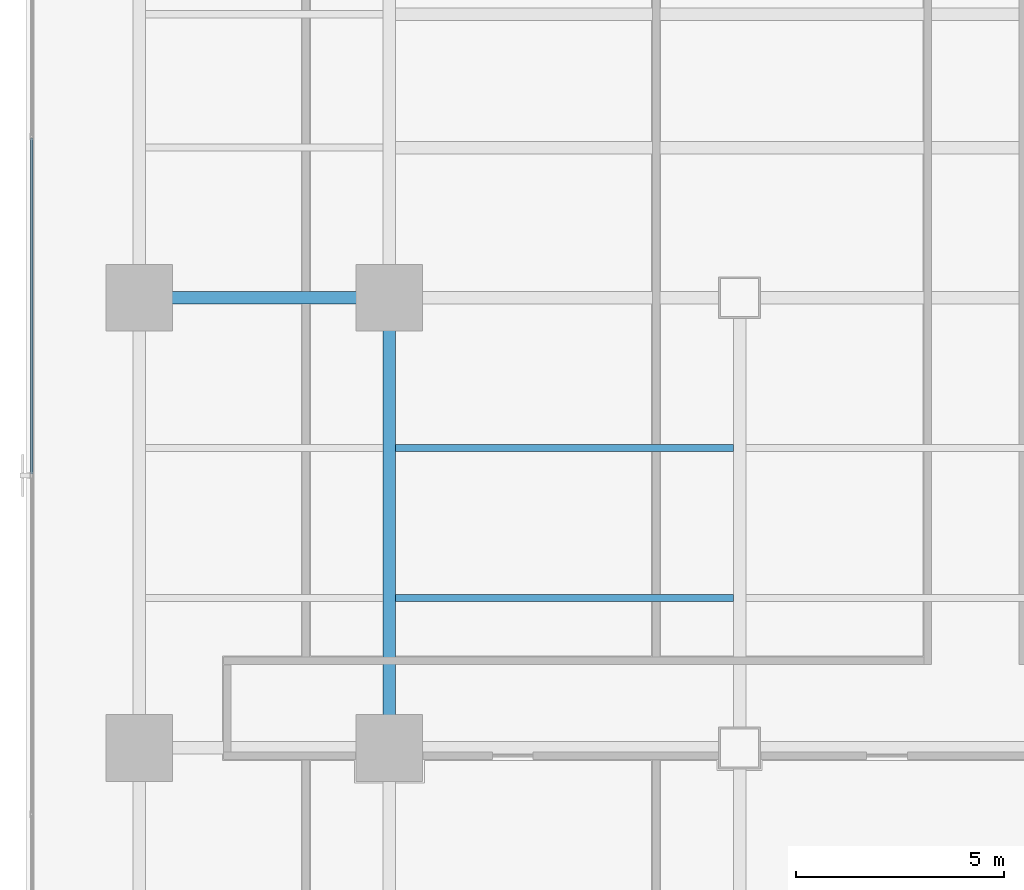
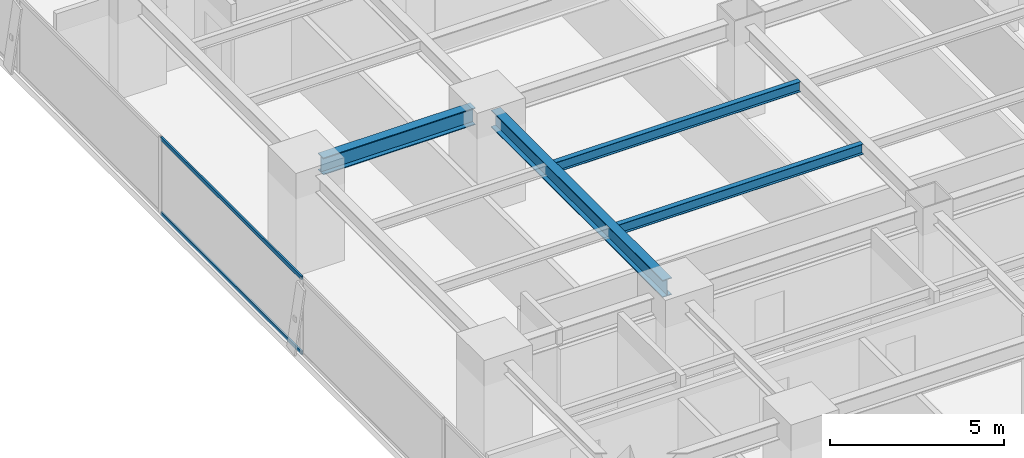
# One storey, part 9 of 36: 4 beams, 2 members, 1 element without a shape of its own.
"""IFC4 building model written with IfcOpenShell, lengths in metres."""

from ifc_helpers import new_model, si_unit, direction, frame, origin, origin_2d, place, context, subcontext, project, spatial, hollow_rectangle, i_section, extrude, source, transform, mapped, material, layer, layer_set, material_profile, profile_set, type_object, element, aggregate, save


model = new_model("IFC4")

# Units and contexts
model_context = context("Model", 3, precision=1e-05, world=origin(), true_north=direction((0.0, 1.0)))
body_context = subcontext(model_context, "Body", "Model", "MODEL_VIEW")
ifc_project = project(units=[si_unit("LENGTHUNIT", "METRE"), si_unit("AREAUNIT", "SQUARE_METRE"), si_unit("VOLUMEUNIT", "CUBIC_METRE"), si_unit("PLANEANGLEUNIT", "RADIAN"), si_unit("MASSUNIT", "GRAM", prefix="KILO")], contexts=[model_context])

# Site, building, storey
site_placement = place(None, origin())
site = spatial("IfcSite", under=ifc_project, at=site_placement, CompositionType="ELEMENT")
building_placement = place(site_placement, origin())
building = spatial("IfcBuilding", under=site, at=building_placement, Name="Sumidabori Civic Tower", CompositionType="ELEMENT")
storey_placement = place(building_placement, frame((0.0, 0.0, 120.800048828125)))
storey = spatial("IfcBuildingStorey", under=building, at=storey_placement, Name="L31", CompositionType="ELEMENT", Elevation=120.800048828125)

# Beams
ifc_material_1 = material(Name="Steel SN490", Category="steel")
ifc_material_profile_1 = material_profile(ifc_material_1, i_section(OverallWidth=0.300048828125, OverallDepth=0.60009765625, WebThickness=0.015380859375, FlangeThickness=0.030029296875, at=origin_2d()), Name="HE 600 B")
ifc_profile_set_1 = profile_set([ifc_material_profile_1], Name="Steel SN490")
beam_type_1 = type_object("IfcBeamType", Name="BM-GIRD-600", PredefinedType="BEAM", material=ifc_profile_set_1)
shared_shape_1 = source(origin(), body_context, "Body", "SweptSolid", [
    extrude(i_section(OverallWidth=0.300048828125, OverallDepth=0.60009765625, WebThickness=0.015380859375, FlangeThickness=0.030029296875, at=origin_2d()), origin(), (0.0, 0.0, 1.0), 5.0400390625),
])
beam_1_placement = place(storey_placement, frame((-22.320068359375, 0.0, 3.0), z_axis=(1.0, 0.0, 0.0), x_axis=(0.0, 1.0, 0.0)))
element("IfcBeam", 1, at=beam_1_placement, inside=storey, type_object=beam_type_1, Name="Primary Girder L31 GX-13", PredefinedType="BEAM", context=body_context, shape_type="MappedRepresentation", body=[
    mapped(shared_shape_1, transform((0.0, 0.0, 0.0), x_axis=(1.0, 0.0, 0.0), y_axis=(0.0, 1.0, 0.0), z_axis=(0.0, 0.0, 1.0), scale=1.0)),
])
shared_shape_2 = source(origin(), body_context, "Body", "SweptSolid", [
    extrude(i_section(OverallWidth=0.300048828125, OverallDepth=0.60009765625, WebThickness=0.015380859375, FlangeThickness=0.030029296875, at=origin_2d()), origin(), (0.0, 0.0, 1.0), 9.840087890625),
])
beam_2_placement = place(storey_placement, frame((-16.800048828125, -10.320068359375, 3.0), z_axis=(0.0, 1.0, 0.0), x_axis=(-1.0, 0.0, 0.0)))
element("IfcBeam", 2, at=beam_2_placement, inside=storey, type_object=beam_type_1, Name="Primary Girder L31 GY-26", PredefinedType="BEAM", context=body_context, shape_type="MappedRepresentation", body=[
    mapped(shared_shape_2, transform((0.0, 0.0, 0.0), x_axis=(1.0, 0.0, 0.0), y_axis=(0.0, 1.0, 0.0), z_axis=(0.0, 0.0, 1.0), scale=1.0)),
])
ifc_material_profile_2 = material_profile(ifc_material_1, i_section(OverallWidth=0.169921875, OverallDepth=0.360107421875, WebThickness=0.008056640625, FlangeThickness=0.0126953125, at=origin_2d()), Name="IPE 360")
ifc_profile_set_2 = profile_set([ifc_material_profile_2], Name="Steel SN490")
beam_type_2 = type_object("IfcBeamType", Name="BM-JST-360", PredefinedType="JOIST", material=ifc_profile_set_2)
shared_shape_3 = source(origin(), body_context, "Body", "SweptSolid", [
    extrude(i_section(OverallWidth=0.169921875, OverallDepth=0.360107421875, WebThickness=0.008056640625, FlangeThickness=0.0126953125, at=origin_2d()), origin(), (0.0, 0.0, 1.0), 8.099853515625),
])
for number, where, z_axis, x_axis, name in (
    (3, (-16.64990234375, -7.199951171875, 3.119873046875), (1.0, 0.0, 0.0), (0.0, 1.0, 0.0), "South Bay Floor Joist L31 JSTS-59"),
    (4, (-16.64990234375, -3.60009765625, 3.119873046875), (1.0, 0.0, 0.0), (0.0, 1.0, 0.0), "South Bay Floor Joist L31 JSTS-63"),
):
    element("IfcBeam", number, at=place(storey_placement, frame(where, z_axis=z_axis, x_axis=x_axis)), inside=storey, type_object=beam_type_2, Name=name, PredefinedType="JOIST", context=body_context, shape_type="MappedRepresentation", body=[
        mapped(shared_shape_3, transform((0.0, 0.0, 0.0), x_axis=(1.0, 0.0, 0.0), y_axis=(0.0, 1.0, 0.0), z_axis=(0.0, 0.0, 1.0), scale=1.0)),
    ])

# Curtain wall, members
ifc_material_2 = material(Name="Anodised Bronze Aluminium AW-6063-T6", Category="aluminium")
ifc_layer = layer(ifc_material_2, 0.179931640625, Name="Anodised Bronze Aluminium AW-6063-T6")
ifc_layer_set = layer_set([ifc_layer], Name="Anodised Bronze Aluminium AW-6063-T6")
curtain_wall_type = type_object("IfcCurtainWallType", Name="CW-SYS-3", PredefinedType="NOTDEFINED", material=ifc_layer_set)
curtain_wall_placement = place(storey_placement, origin())
curtain_wall = element("IfcCurtainWall", 5, at=curtain_wall_placement, inside=storey, type_object=curtain_wall_type, Name="Curtain Wall CW:L31:R10", PredefinedType="NOTDEFINED")
ifc_material_profile_3 = material_profile(ifc_material_2, hollow_rectangle(XDim=0.06005859375, YDim=0.1298828125, WallThickness=0.0048828125, at=origin_2d()), Name="ALU TRANSOM 130x60")
ifc_profile_set_3 = profile_set([ifc_material_profile_3], Name="Anodised Bronze Aluminium AW-6063-T6")
member_type = type_object("IfcMemberType", Name="CW-TRN-130", PredefinedType="USERDEFINED", material=ifc_profile_set_3)
shared_shape_4 = source(origin(), body_context, "Body", "SweptSolid", [
    extrude(hollow_rectangle(XDim=0.06005859375, YDim=0.1298828125, WallThickness=0.0048828125, at=origin_2d()), origin(), (0.0, 0.0, 1.0), 8.06298828125),
])
member_1_placement = place(storey_placement, frame((-25.3798828125, 3.83154296875, 0.030029296875), z_axis=(0.0, -1.0, 0.0), x_axis=(1.0, 0.0, 0.0)))
member_1 = element("IfcMember", 6, at=member_1_placement, type_object=member_type, Name="CW-3 transom 3.1", ObjectType="TRANSOM", PredefinedType="USERDEFINED", context=body_context, shape_type="MappedRepresentation", body=[
    mapped(shared_shape_4, transform((0.0, 0.0, 0.0), x_axis=(1.0, 0.0, 0.0), y_axis=(0.0, 1.0, 0.0), z_axis=(0.0, 0.0, 1.0), scale=1.0)),
])
member_2_placement = place(storey_placement, frame((-25.3798828125, 3.83154296875, 2.64990234375), z_axis=(0.0, -1.0, 0.0), x_axis=(1.0, 0.0, 0.0)))
member_2 = element("IfcMember", 7, at=member_2_placement, type_object=member_type, Name="CW-3 transom 3.2", ObjectType="TRANSOM", PredefinedType="USERDEFINED", context=body_context, shape_type="MappedRepresentation", body=[
    mapped(shared_shape_4, transform((0.0, 0.0, 0.0), x_axis=(1.0, 0.0, 0.0), y_axis=(0.0, 1.0, 0.0), z_axis=(0.0, 0.0, 1.0), scale=1.0)),
])
aggregate(curtain_wall, [member_1, member_2])

save(model, "model.ifc")
